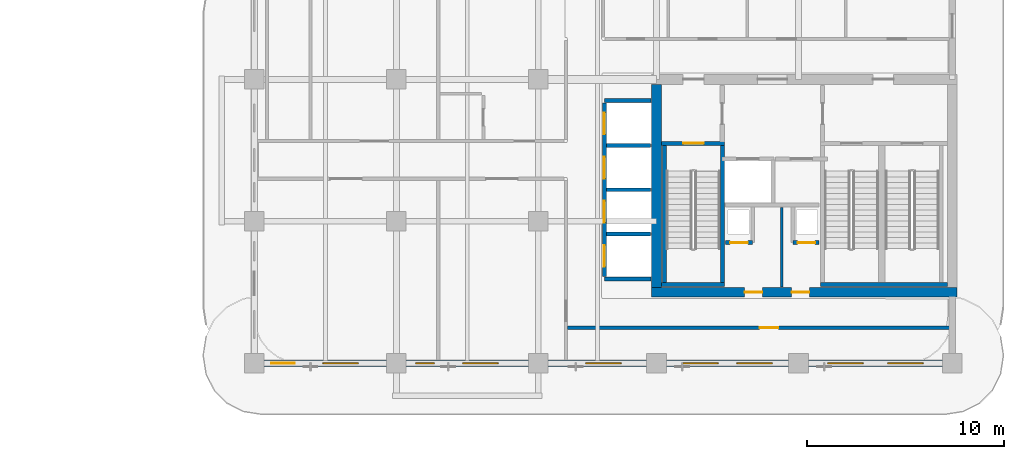
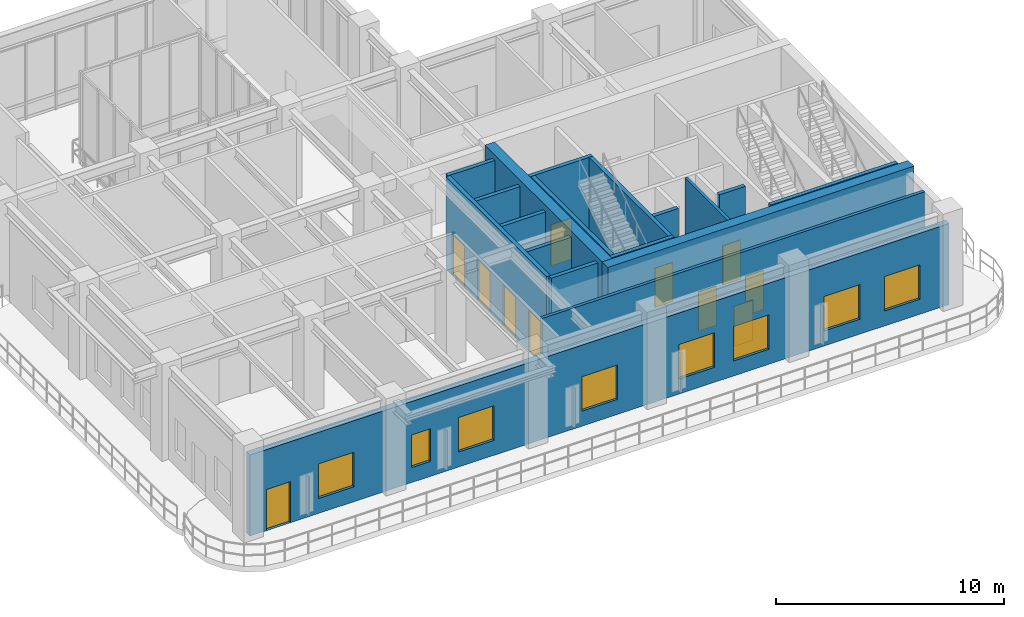
# One storey, part 12 of 21: 18 walls, 11 doors, 8 windows, 19 openings.
"""IFC4 building model written with IfcOpenShell, lengths in metres."""

import ifcopenshell
import ifcopenshell.guid

model = None  # the IFC model being written
_history = None  # IfcOwnerHistory: only IFC2X3 demands one
_inside = {}  # id of a spatial element -> (the spatial element, [elements in it])
_under = {}  # id of a project, library or spatial element -> (it, [spatial elements below it])
_declared = {}  # id of a project -> (the project, [libraries it declares])
_typed = {}  # id of a type object -> (the type object, [elements of that type])
_made_of = {}  # id of a material, layer set ... -> (it, [elements and type objects made of it])


def new_model(schema):
    """Start an empty IFC model of exactly this schema.

    Asked for "IFC4X3", IfcOpenShell would pick the latest addendum, in which some entities
    have other attributes; the version numbers below select the first issue.
    IFC2X3 requires an IfcOwnerHistory on every rooted entity: one is made here for all.
    """
    global model, _history
    if schema == "IFC4X3":
        model = ifcopenshell.file(schema_version=(4, 3, 0, 0))
    else:
        model = ifcopenshell.file(schema=schema)
    _inside.clear()
    _under.clear()
    _declared.clear()
    _typed.clear()
    _made_of.clear()
    _history = None
    if model.schema == "IFC2X3":
        org = make("IfcOrganization", Name="unknown")
        user = make(
            "IfcPersonAndOrganization",
            ThePerson=make("IfcPerson", FamilyName="unknown"),
            TheOrganization=org,
        )
        app = make(
            "IfcApplication",
            ApplicationDeveloper=org,
            Version="unknown",
            ApplicationFullName="unknown",
            ApplicationIdentifier="unknown",
        )
        _history = make(
            "IfcOwnerHistory",
            OwningUser=user,
            OwningApplication=app,
            ChangeAction="ADDED",
            CreationDate=0,
        )
    return model


def make(cls, **values):
    """One entity of the class cls with the attributes given. An attribute that is None is left unset."""
    return model.create_entity(
        cls, **{name: value for name, value in values.items() if value is not None}
    )


def rooted(cls, **values):
    """An entity with a GlobalId (a new one), such as an element, a storey or a relation."""
    return make(cls, GlobalId=ifcopenshell.guid.new(), OwnerHistory=_history, **values)


def si_unit(unit_type, name, prefix=None):
    """IfcSIUnit, for example si_unit("LENGTHUNIT", "METRE", prefix="MILLI")."""
    return make("IfcSIUnit", UnitType=unit_type, Prefix=prefix, Name=name)


def derived_unit(unit_type, elements):
    """IfcDerivedUnit: a product of units, each with its exponent."""
    return make(
        "IfcDerivedUnit",
        Elements=[
            make("IfcDerivedUnitElement", Unit=unit, Exponent=power)
            for unit, power in elements
        ],
        UnitType=unit_type,
    )


def assignment(units):
    """IfcUnitAssignment: the units of a project."""
    return None if units is None else make("IfcUnitAssignment", Units=units)


def point(xyz):
    """IfcCartesianPoint."""
    return None if xyz is None else make("IfcCartesianPoint", Coordinates=xyz)


def direction(xyz):
    """IfcDirection."""
    return None if xyz is None else make("IfcDirection", DirectionRatios=xyz)


def frame(location, z_axis=None, x_axis=None):
    """IfcAxis2Placement3D, a coordinate frame: its origin and axes. An axis left out is left unset."""
    return make(
        "IfcAxis2Placement3D",
        Location=point(location),
        Axis=direction(z_axis),
        RefDirection=direction(x_axis),
    )


def frame_2d(location, x_axis=None):
    """IfcAxis2Placement2D, a coordinate frame in the plane: its origin and x axis."""
    return make(
        "IfcAxis2Placement2D", Location=point(location), RefDirection=direction(x_axis)
    )


def origin():
    """The frame at (0, 0, 0) with its axes left unset."""
    return frame((0.0, 0.0, 0.0))


def place(relative_to, where):
    """IfcLocalPlacement: puts the frame where relative to a parent placement (None: the world)."""
    return make(
        "IfcLocalPlacement", PlacementRelTo=relative_to, RelativePlacement=where
    )


def context(
    kind, dimensions, precision=None, world=None, true_north=None, identifier=None
):
    """IfcGeometricRepresentationContext, for example the 3D "Model" context."""
    return make(
        "IfcGeometricRepresentationContext",
        ContextIdentifier=identifier,
        ContextType=kind,
        CoordinateSpaceDimension=dimensions,
        Precision=precision,
        WorldCoordinateSystem=world,
        TrueNorth=true_north,
    )


def subcontext(parent, identifier, kind, view, scale=None):
    """IfcGeometricRepresentationSubContext, for example "Body" below "Model"."""
    return make(
        "IfcGeometricRepresentationSubContext",
        ContextIdentifier=identifier,
        ContextType=kind,
        ParentContext=parent,
        TargetScale=scale,
        TargetView=view,
    )


def project(units=None, contexts=None):
    """IfcProject with its units and contexts."""
    return rooted(
        "IfcProject",
        Name="project",
        RepresentationContexts=contexts,
        UnitsInContext=assignment(units),
    )


def spatial(cls, under=None, at=None, **own):
    """A site, building, storey or space (cls), placed at a placement, below another one or the project."""
    s = rooted(cls, ObjectPlacement=at, **own)
    if under is not None:
        _under.setdefault(under.id(), (under, []))[1].append(s)
    return s


def profile(cls, at=None, kind="AREA", **sizes):
    """A parametric profile (cls). Its sizes go by their IFC names, for example OverallWidth=200.0."""
    return make(cls, ProfileType=kind, Position=at, **sizes)


def rectangle(**sizes):
    """IfcRectangleProfileDef."""
    return profile("IfcRectangleProfileDef", **sizes)


def extrude(swept, where, along, depth):
    """IfcExtrudedAreaSolid: the profile swept, set in the frame where, extruded along a direction by depth."""
    return make(
        "IfcExtrudedAreaSolid",
        SweptArea=swept,
        Position=where,
        ExtrudedDirection=direction(along),
        Depth=depth,
    )


def shape(context_of_items, identifier, shape_type, items):
    """IfcShapeRepresentation: the items that make up one representation, for example the "Body"."""
    return make(
        "IfcShapeRepresentation",
        ContextOfItems=context_of_items,
        RepresentationIdentifier=identifier,
        RepresentationType=shape_type,
        Items=items,
    )


def source(mapping_origin, context_of_items, identifier, shape_type, items):
    """IfcRepresentationMap: a shape defined once, which mapped items show again and again."""
    return make(
        "IfcRepresentationMap",
        MappingOrigin=mapping_origin,
        MappedRepresentation=shape(context_of_items, identifier, shape_type, items),
    )


def transform(
    local_origin,
    x_axis=None,
    y_axis=None,
    z_axis=None,
    scale=None,
    scale2=None,
    scale3=None,
    uniform=True,
):
    """IfcCartesianTransformationOperator3D, or its non-uniform kind. x_axis, y_axis, z_axis: its Axis1, 2, 3."""
    if uniform:
        return make(
            "IfcCartesianTransformationOperator3D",
            Axis1=direction(x_axis),
            Axis2=direction(y_axis),
            LocalOrigin=point(local_origin),
            Scale=scale,
            Axis3=direction(z_axis),
        )
    return make(
        "IfcCartesianTransformationOperator3DnonUniform",
        Axis1=direction(x_axis),
        Axis2=direction(y_axis),
        LocalOrigin=point(local_origin),
        Scale=scale,
        Axis3=direction(z_axis),
        Scale2=scale2,
        Scale3=scale3,
    )


def mapped(mapping_source, mapping_target):
    """IfcMappedItem: shows the shape of a source again, moved by a transform."""
    return make(
        "IfcMappedItem", MappingSource=mapping_source, MappingTarget=mapping_target
    )


def material(Name=None, Category=None):
    """IfcMaterial."""
    return make("IfcMaterial", Name=Name, Category=Category)


def layer(
    of_material, thickness, ventilated=None, Name=None, Category=None, Priority=None
):
    """IfcMaterialLayer: one layer of a wall or slab, of a material (None: an air gap)."""
    return make(
        "IfcMaterialLayer",
        Material=of_material,
        LayerThickness=thickness,
        IsVentilated=ventilated,
        Name=Name,
        Category=Category,
        Priority=Priority,
    )


def layer_set(layers, Name=None):
    """IfcMaterialLayerSet."""
    return make("IfcMaterialLayerSet", MaterialLayers=layers, LayerSetName=Name)


def made_of(thing, what):
    """Note that an element or type object is made of a material, layer set ...; save() writes the relation."""
    if what is not None:
        _made_of.setdefault(what.id(), (what, []))[1].append(thing)
    return thing


def type_object(cls, material=None, **own):
    """A type object (cls), such as IfcWallType, which elements share."""
    return made_of(rooted(cls, **own), material)


def type_shapes(of_type, sources):
    """Give a type object the sources (RepresentationMaps) that its elements show as mapped items."""
    of_type.RepresentationMaps = sources


def element(
    cls,
    number,
    at=None,
    inside=None,
    cuts=None,
    type_object=None,
    material=None,
    context=None,
    identifier="Body",
    shape_type=None,
    held_by="IfcProductDefinitionShape",
    body=None,
    shapes=None,
    **own,
):
    """One element of the class cls, such as IfcWall. Its Tag is "e" and its number.

    at: its placement. inside: the storey or other place that contains it. cuts: it is an
    opening in that element (IfcRelVoidsElement). A single representation is given by context,
    identifier, shape_type and body (its items); several are given by shapes. held_by: the class
    of the entity that holds the representations. save() writes the other relations.
    """
    e = rooted(cls, Tag="e%d" % number, ObjectPlacement=at, **own)
    if body is not None:
        shapes = [shape(context, identifier, shape_type, body)]
    if shapes is not None:
        e.Representation = make(held_by, Representations=shapes)
    if inside is not None:
        _inside.setdefault(inside.id(), (inside, []))[1].append(e)
    if cuts is not None:
        rooted(
            "IfcRelVoidsElement", RelatingBuildingElement=cuts, RelatedOpeningElement=e
        )
    if type_object is not None:
        _typed.setdefault(type_object.id(), (type_object, []))[1].append(e)
    return made_of(e, material)


def fill(opening, filler):
    """IfcRelFillsElement: the door or window that sits in an opening."""
    return rooted(
        "IfcRelFillsElement",
        RelatingOpeningElement=opening,
        RelatedBuildingElement=filler,
    )


def aggregate(whole, parts):
    """IfcRelAggregates: a whole, such as a stair, and the parts it consists of."""
    return rooted("IfcRelAggregates", RelatingObject=whole, RelatedObjects=parts)


def save(model, path):
    """Write the relations noted so far, then the file.

    IfcRelAggregates (storeys below a building ...), IfcRelContainedInSpatialStructure (elements
    in a storey), IfcRelDefinesByType, IfcRelAssociatesMaterial and IfcRelDeclares: one each for
    every whole, place, type object, material and project.
    """
    for whole, parts in _under.values():
        aggregate(whole, parts)
    for where, things in _inside.values():
        rooted(
            "IfcRelContainedInSpatialStructure",
            RelatedElements=things,
            RelatingStructure=where,
        )
    for kind, things in _typed.values():
        rooted("IfcRelDefinesByType", RelatedObjects=things, RelatingType=kind)
    for what, things in _made_of.values():
        rooted("IfcRelAssociatesMaterial", RelatedObjects=things, RelatingMaterial=what)
    for by, libraries in _declared.values():
        rooted("IfcRelDeclares", RelatingContext=by, RelatedDefinitions=libraries)
    model.write(path)


model = new_model("IFC4")

# Units and contexts
model_context = context("Model", 3, precision=1e-05, world=origin(), true_north=direction((0.0, 1.0)))
body_context = subcontext(model_context, "Body", "Model", "MODEL_VIEW")
ifc_project = project(units=[si_unit("LENGTHUNIT", "METRE"), si_unit("AREAUNIT", "SQUARE_METRE"), si_unit("VOLUMEUNIT", "CUBIC_METRE"), si_unit("PLANEANGLEUNIT", "RADIAN"), si_unit("MASSUNIT", "GRAM", prefix="KILO"), si_unit("THERMODYNAMICTEMPERATUREUNIT", "KELVIN"), si_unit("POWERUNIT", "WATT"), derived_unit("THERMALTRANSMITTANCEUNIT", [(si_unit("POWERUNIT", "WATT"), 1), (si_unit("AREAUNIT", "SQUARE_METRE"), -1), (si_unit("THERMODYNAMICTEMPERATUREUNIT", "KELVIN"), -1)])], contexts=[model_context])

# Site, building, storey
site_placement = place(None, origin())
site = spatial("IfcSite", under=ifc_project, at=site_placement, CompositionType="ELEMENT")
building_placement = place(site_placement, origin())
building = spatial("IfcBuilding", under=site, at=building_placement, Name="Zahravan Archway Hotel and Residences", CompositionType="ELEMENT")
storey_placement = place(building_placement, frame((0.0, 0.0, 145.10009765625)))
storey = spatial("IfcBuildingStorey", under=building, at=storey_placement, Name="L36", CompositionType="ELEMENT", Elevation=145.10009765625)

# Wall, openings, doors
ifc_material_1 = material(Name="Concrete C60/75", Category="concrete")
ifc_layer_1 = layer(ifc_material_1, 0.5, Name="Concrete C60/75", Category="concrete")
ifc_layer_set_1 = layer_set([ifc_layer_1], Name="Concrete C60/75")
wall_type_1 = type_object("IfcWallType", Name="CW-CORE-500", PredefinedType="SHEAR", material=ifc_layer_set_1)
wall_1_placement = place(storey_placement, frame((34.550048828125, 3.60009765625, 0.0), z_axis=(0.0, 0.0, 1.0), x_axis=(1.0, 0.0, 0.0)))
wall_1 = element("IfcWall", 1, at=wall_1_placement, inside=storey, type_object=wall_type_1, Name="L36 Core A Shear S Wall 500 mm", PredefinedType="SHEAR", context=body_context, shape_type="SweptSolid", body=[
    extrude(rectangle(XDim=15.5, YDim=0.5, at=frame_2d((7.75, 0.0))), origin(), (0.0, 0.0, 1.0), 5.199951171875),
])
opening_1_placement = place(wall_1_placement, frame((4.719970703125, 0.0, 0.0)))
opening_1 = element("IfcOpeningElement", 2, at=opening_1_placement, cuts=wall_1, Name="Opening FD-R1", PredefinedType="OPENING", context=body_context, shape_type="SweptSolid", body=[
    extrude(rectangle(XDim=0.89990234375, YDim=2.10009765625, at=frame_2d((0.449951171875, 1.050048828125))), frame((0.0, 0.260009765625, 0.0), z_axis=(0.0, -1.0, 0.0), x_axis=(1.0, 0.0, 0.0)), (0.0, 0.0, 1.0), 0.52001953125),
])
opening_2_placement = place(wall_1_placement, frame((7.10009765625, 0.0, 0.0)))
opening_2 = element("IfcOpeningElement", 3, at=opening_2_placement, cuts=wall_1, Name="Opening FD-R1", PredefinedType="OPENING", context=body_context, shape_type="SweptSolid", body=[
    extrude(rectangle(XDim=0.89990234375, YDim=2.10009765625, at=frame_2d((0.449951171875, 1.050048828125))), frame((0.0, 0.260009765625, 0.0), z_axis=(0.0, -1.0, 0.0), x_axis=(1.0, 0.0, 0.0)), (0.0, 0.0, 1.0), 0.52001953125),
])
ifc_material_2 = material(Name="Fire-Rated Painted Steel", Category="steel")
door_type_1 = type_object("IfcDoorType", Name="FD-RISER-900", OperationType="NOTDEFINED", PredefinedType="DOOR", material=ifc_material_2)
shared_shape_1 = source(origin(), body_context, "Body", "SweptSolid", [
    extrude(rectangle(XDim=0.89990234375, YDim=2.10009765625, at=frame_2d((0.449951171875, 1.050048828125))), frame((0.0, 0.02490234375, 0.0), z_axis=(0.0, -1.0, 0.0), x_axis=(1.0, 0.0, 0.0)), (0.0, 0.0, 1.0), 0.050048828125),
])
type_shapes(door_type_1, [shared_shape_1])
door_1_placement = place(opening_1_placement, origin())
door_1 = element("IfcDoor", 4, at=door_1_placement, inside=storey, type_object=door_type_1, Name="L36 Fan Room Door", OperationType="SINGLE_SWING_RIGHT", OverallHeight=2.10009765625, OverallWidth=0.89990234375, PredefinedType="DOOR", context=body_context, shape_type="MappedRepresentation", body=[
    mapped(shared_shape_1, transform((0.0, 0.0, 0.0), scale=1.0)),
])
fill(opening_1, door_1)
door_2_placement = place(opening_2_placement, origin())
door_2 = element("IfcDoor", 5, at=door_2_placement, inside=storey, type_object=door_type_1, Name="L36 Sub-Meter Cupboard Door", OperationType="SINGLE_SWING_LEFT", OverallHeight=2.10009765625, OverallWidth=0.89990234375, PredefinedType="DOOR", context=body_context, shape_type="MappedRepresentation", body=[
    mapped(shared_shape_1, transform((0.0, 0.0, 0.0), scale=1.0)),
])
fill(opening_2, door_2)

# Wall
wall_2_placement = place(storey_placement, frame((34.800048828125, 3.85009765625, 0.0), z_axis=(0.0, 0.0, 1.0), x_axis=(0.0, 1.0, 0.0)))
element("IfcWall", 6, at=wall_2_placement, inside=storey, type_object=wall_type_1, Name="L36 Core A Shear W Wall 500 mm", PredefinedType="SHEAR", context=body_context, shape_type="SweptSolid", body=[
    extrude(rectangle(XDim=10.2998046875, YDim=0.5, at=frame_2d((5.14990234375, 0.0))), origin(), (0.0, 0.0, 1.0), 5.199951171875),
])

# Wall, openings, door, windows
ifc_material_3 = material(Name="Agra Buff Sandstone & Insulated Backup", Category="masonry")
ifc_layer_2 = layer(ifc_material_3, 0.320068359375, Name="Agra Buff Sandstone & Insulated Backup", Category="masonry")
ifc_layer_set_2 = layer_set([ifc_layer_2], Name="Agra Buff Sandstone & Insulated Backup")
wall_type_2 = type_object("IfcWallType", Name="EW-SAND-320", PredefinedType="SOLIDWALL", material=ifc_layer_set_2)
wall_3_placement = place(storey_placement, frame((14.39990234375, 0.0, 0.0), z_axis=(0.0, 0.0, 1.0), x_axis=(1.0, 0.0, 0.0)))
wall_3 = element("IfcWall", 7, at=wall_3_placement, inside=storey, type_object=wall_type_2, Name="L36 Exterior Sandstone Wall WA-S", PredefinedType="SOLIDWALL", context=body_context, shape_type="SweptSolid", body=[
    extrude(rectangle(XDim=35.400146484375, YDim=0.320068359375, at=frame_2d((17.7001953125, 0.0))), origin(), (0.0, 0.0, 1.0), 4.3349609375),
])
opening_3_placement = place(wall_3_placement, frame((0.85009765625, 0.0, 0.0)))
opening_3 = element("IfcOpeningElement", 8, at=opening_3_placement, cuts=wall_3, Name="Opening ED-BL1", PredefinedType="OPENING", context=body_context, shape_type="SweptSolid", body=[
    extrude(rectangle(XDim=1.199951171875, YDim=2.199951171875, at=frame_2d((0.60009765625, 1.10009765625))), frame((0.0, 0.169921875, 0.0), z_axis=(0.0, -1.0, 0.0), x_axis=(1.0, 0.0, 0.0)), (0.0, 0.0, 1.0), 0.340087890625),
])
opening_4_placement = place(wall_3_placement, frame((3.47509765625, 0.0, 0.800048828125)))
opening_4 = element("IfcOpeningElement", 9, at=opening_4_placement, cuts=wall_3, Name="Opening W-02", PredefinedType="OPENING", context=body_context, shape_type="SweptSolid", body=[
    extrude(rectangle(XDim=1.800048828125, YDim=1.85009765625, at=frame_2d((0.89990234375, 0.925048828125))), frame((0.0, 0.169921875, 0.0), z_axis=(0.0, -1.0, 0.0), x_axis=(1.0, 0.0, 0.0)), (0.0, 0.0, 1.0), 0.340087890625),
])
opening_5_placement = place(wall_3_placement, frame((8.180908203125, 0.0, 0.800048828125)))
opening_5 = element("IfcOpeningElement", 10, at=opening_5_placement, cuts=wall_3, Name="Opening W-04", PredefinedType="OPENING", context=body_context, shape_type="SweptSolid", body=[
    extrude(rectangle(XDim=0.949951171875, YDim=1.75, at=frame_2d((0.47509765625, 0.875))), frame((0.0, 0.169921875, 0.0), z_axis=(0.0, -1.0, 0.0), x_axis=(1.0, 0.0, 0.0)), (0.0, 0.0, 1.0), 0.340087890625),
])
opening_6_placement = place(wall_3_placement, frame((10.56396484375, 0.0, 0.800048828125)))
opening_6 = element("IfcOpeningElement", 11, at=opening_6_placement, cuts=wall_3, Name="Opening W-02", PredefinedType="OPENING", context=body_context, shape_type="SweptSolid", body=[
    extrude(rectangle(XDim=1.800048828125, YDim=1.85009765625, at=frame_2d((0.89990234375, 0.925048828125))), frame((0.0, 0.169921875, 0.0), z_axis=(0.0, -1.0, 0.0), x_axis=(1.0, 0.0, 0.0)), (0.0, 0.0, 1.0), 0.340087890625),
])
opening_7_placement = place(wall_3_placement, frame((16.803955078125, 0.0, 0.800048828125)))
opening_7 = element("IfcOpeningElement", 12, at=opening_7_placement, cuts=wall_3, Name="Opening W-02", PredefinedType="OPENING", context=body_context, shape_type="SweptSolid", body=[
    extrude(rectangle(XDim=1.800048828125, YDim=1.85009765625, at=frame_2d((0.89990234375, 0.925048828125))), frame((0.0, 0.169921875, 0.0), z_axis=(0.0, -1.0, 0.0), x_axis=(1.0, 0.0, 0.0)), (0.0, 0.0, 1.0), 0.340087890625),
])
opening_8_placement = place(wall_3_placement, frame((21.72509765625, 0.0, 0.800048828125)))
opening_8 = element("IfcOpeningElement", 13, at=opening_8_placement, cuts=wall_3, Name="Opening W-02", PredefinedType="OPENING", context=body_context, shape_type="SweptSolid", body=[
    extrude(rectangle(XDim=1.800048828125, YDim=1.85009765625, at=frame_2d((0.89990234375, 0.925048828125))), frame((0.0, 0.169921875, 0.0), z_axis=(0.0, -1.0, 0.0), x_axis=(1.0, 0.0, 0.0)), (0.0, 0.0, 1.0), 0.340087890625),
])
opening_9_placement = place(wall_3_placement, frame((24.47509765625, 0.0, 0.800048828125)))
opening_9 = element("IfcOpeningElement", 14, at=opening_9_placement, cuts=wall_3, Name="Opening W-02", PredefinedType="OPENING", context=body_context, shape_type="SweptSolid", body=[
    extrude(rectangle(XDim=1.800048828125, YDim=1.85009765625, at=frame_2d((0.89990234375, 0.925048828125))), frame((0.0, 0.169921875, 0.0), z_axis=(0.0, -1.0, 0.0), x_axis=(1.0, 0.0, 0.0)), (0.0, 0.0, 1.0), 0.340087890625),
])
opening_10_placement = place(wall_3_placement, frame((29.074951171875, 0.0, 0.800048828125)))
opening_10 = element("IfcOpeningElement", 15, at=opening_10_placement, cuts=wall_3, Name="Opening W-02", PredefinedType="OPENING", context=body_context, shape_type="SweptSolid", body=[
    extrude(rectangle(XDim=1.800048828125, YDim=1.85009765625, at=frame_2d((0.89990234375, 0.925048828125))), frame((0.0, 0.169921875, 0.0), z_axis=(0.0, -1.0, 0.0), x_axis=(1.0, 0.0, 0.0)), (0.0, 0.0, 1.0), 0.340087890625),
])
opening_11_placement = place(wall_3_placement, frame((32.125, 0.0, 0.800048828125)))
opening_11 = element("IfcOpeningElement", 16, at=opening_11_placement, cuts=wall_3, Name="Opening W-02", PredefinedType="OPENING", context=body_context, shape_type="SweptSolid", body=[
    extrude(rectangle(XDim=1.800048828125, YDim=1.85009765625, at=frame_2d((0.89990234375, 0.925048828125))), frame((0.0, 0.169921875, 0.0), z_axis=(0.0, -1.0, 0.0), x_axis=(1.0, 0.0, 0.0)), (0.0, 0.0, 1.0), 0.340087890625),
])
ifc_material_4 = material(Name="Bronze-Anodized Glazed Aluminium", Category="aluminium")
door_type_2 = type_object("IfcDoorType", Name="ED-BALC-1200", OperationType="SLIDING_TO_LEFT", PredefinedType="DOOR", material=ifc_material_4)
shared_shape_2 = source(origin(), body_context, "Body", "SweptSolid", [
    extrude(rectangle(XDim=1.199951171875, YDim=2.199951171875, at=frame_2d((0.60009765625, 1.10009765625))), frame((0.0, 0.02490234375, 0.0), z_axis=(0.0, -1.0, 0.0), x_axis=(1.0, 0.0, 0.0)), (0.0, 0.0, 1.0), 0.050048828125),
])
type_shapes(door_type_2, [shared_shape_2])
door_3_placement = place(opening_3_placement, origin())
door_3 = element("IfcDoor", 17, at=door_3_placement, inside=storey, type_object=door_type_2, Name="L36 Outdoor Access Sliding Door (SLB-BAL-L36-SA)", OperationType="SLIDING_TO_LEFT", OverallHeight=2.199951171875, OverallWidth=1.199951171875, PredefinedType="DOOR", context=body_context, shape_type="MappedRepresentation", body=[
    mapped(shared_shape_2, transform((0.0, 0.0, 0.0), scale=1.0)),
])
fill(opening_3, door_3)
ifc_material_5 = material(Name="Bronze-Anodized Thermal-Break Aluminium & Low-E Glass", Category="aluminium")
window_type_1 = type_object("IfcWindowType", Name="WIN-NAR-950", PartitioningType="SINGLE_PANEL", PredefinedType="WINDOW", material=ifc_material_5)
shared_shape_3 = source(origin(), body_context, "Body", "SweptSolid", [
    extrude(rectangle(XDim=0.949951171875, YDim=1.75, at=frame_2d((0.47509765625, 0.875))), frame((0.0, 0.030029296875, 0.0), z_axis=(0.0, -1.0, 0.0), x_axis=(1.0, 0.0, 0.0)), (0.0, 0.0, 1.0), 0.06005859375),
])
type_shapes(window_type_1, [shared_shape_3])
window_1_placement = place(opening_5_placement, origin())
window_1 = element("IfcWindow", 18, at=window_1_placement, inside=storey, type_object=window_type_1, Name="L36 Loggia Window 02", OverallHeight=1.75, OverallWidth=0.949951171875, PartitioningType="SINGLE_PANEL", PredefinedType="WINDOW", context=body_context, shape_type="MappedRepresentation", body=[
    mapped(shared_shape_3, transform((0.0, 0.0, 0.0), scale=1.0)),
])
fill(opening_5, window_1)
window_type_2 = type_object("IfcWindowType", Name="WIN-TWR-1800", PartitioningType="DOUBLE_PANEL_VERTICAL", PredefinedType="WINDOW", material=ifc_material_5)
shared_shape_4 = source(origin(), body_context, "Body", "SweptSolid", [
    extrude(rectangle(XDim=1.800048828125, YDim=1.85009765625, at=frame_2d((0.89990234375, 0.925048828125))), frame((0.0, 0.030029296875, 0.0), z_axis=(0.0, -1.0, 0.0), x_axis=(1.0, 0.0, 0.0)), (0.0, 0.0, 1.0), 0.06005859375),
])
type_shapes(window_type_2, [shared_shape_4])
window_2_placement = place(opening_4_placement, origin())
window_2 = element("IfcWindow", 19, at=window_2_placement, inside=storey, type_object=window_type_2, Name="L36 Loggia Window 01", OverallHeight=1.85009765625, OverallWidth=1.800048828125, PartitioningType="DOUBLE_PANEL_VERTICAL", PredefinedType="WINDOW", context=body_context, shape_type="MappedRepresentation", body=[
    mapped(shared_shape_4, transform((0.0, 0.0, 0.0), scale=1.0)),
])
fill(opening_4, window_2)
window_3_placement = place(opening_6_placement, origin())
window_3 = element("IfcWindow", 20, at=window_3_placement, inside=storey, type_object=window_type_2, Name="L36 Loggia Window 03", OverallHeight=1.85009765625, OverallWidth=1.800048828125, PartitioningType="DOUBLE_PANEL_VERTICAL", PredefinedType="WINDOW", context=body_context, shape_type="MappedRepresentation", body=[
    mapped(shared_shape_4, transform((0.0, 0.0, 0.0), scale=1.0)),
])
fill(opening_6, window_3)
window_4_placement = place(opening_7_placement, origin())
window_4 = element("IfcWindow", 21, at=window_4_placement, inside=storey, type_object=window_type_2, Name="L36 Loggia Window 04", OverallHeight=1.85009765625, OverallWidth=1.800048828125, PartitioningType="DOUBLE_PANEL_VERTICAL", PredefinedType="WINDOW", context=body_context, shape_type="MappedRepresentation", body=[
    mapped(shared_shape_4, transform((0.0, 0.0, 0.0), scale=1.0)),
])
fill(opening_7, window_4)
window_5_placement = place(opening_8_placement, origin())
window_5 = element("IfcWindow", 22, at=window_5_placement, inside=storey, type_object=window_type_2, Name="L36 Loggia Window 05", OverallHeight=1.85009765625, OverallWidth=1.800048828125, PartitioningType="DOUBLE_PANEL_VERTICAL", PredefinedType="WINDOW", context=body_context, shape_type="MappedRepresentation", body=[
    mapped(shared_shape_4, transform((0.0, 0.0, 0.0), scale=1.0)),
])
fill(opening_8, window_5)
window_6_placement = place(opening_9_placement, origin())
window_6 = element("IfcWindow", 23, at=window_6_placement, inside=storey, type_object=window_type_2, Name="L36 Loggia Window 06", OverallHeight=1.85009765625, OverallWidth=1.800048828125, PartitioningType="DOUBLE_PANEL_VERTICAL", PredefinedType="WINDOW", context=body_context, shape_type="MappedRepresentation", body=[
    mapped(shared_shape_4, transform((0.0, 0.0, 0.0), scale=1.0)),
])
fill(opening_9, window_6)
window_7_placement = place(opening_10_placement, origin())
window_7 = element("IfcWindow", 24, at=window_7_placement, inside=storey, type_object=window_type_2, Name="L36 Loggia Window 07", OverallHeight=1.85009765625, OverallWidth=1.800048828125, PartitioningType="DOUBLE_PANEL_VERTICAL", PredefinedType="WINDOW", context=body_context, shape_type="MappedRepresentation", body=[
    mapped(shared_shape_4, transform((0.0, 0.0, 0.0), scale=1.0)),
])
fill(opening_10, window_7)
window_8_placement = place(opening_11_placement, origin())
window_8 = element("IfcWindow", 25, at=window_8_placement, inside=storey, type_object=window_type_2, Name="L36 Loggia Window 08", OverallHeight=1.85009765625, OverallWidth=1.800048828125, PartitioningType="DOUBLE_PANEL_VERTICAL", PredefinedType="WINDOW", context=body_context, shape_type="MappedRepresentation", body=[
    mapped(shared_shape_4, transform((0.0, 0.0, 0.0), scale=1.0)),
])
fill(opening_11, window_8)

# Wall, opening, door
ifc_material_6 = material(Name="Fire-Rated Gypsum & Concrete Block", Category="concrete")
ifc_layer_3 = layer(ifc_material_6, 0.159912109375, Name="Fire-Rated Gypsum & Concrete Block", Category="concrete")
ifc_layer_set_3 = layer_set([ifc_layer_3], Name="Fire-Rated Gypsum & Concrete Block")
wall_type_3 = type_object("IfcWallType", Name="PW-CORR-160", PredefinedType="PARTITIONING", material=ifc_layer_set_3)
wall_4_placement = place(storey_placement, frame((30.2900390625, 1.800048828125, 0.0), z_axis=(0.0, 0.0, 1.0), x_axis=(1.0, 0.0, 0.0)))
wall_4 = element("IfcWall", 26, at=wall_4_placement, inside=storey, type_object=wall_type_3, Name="L36 Partition WA-SRS", PredefinedType="PARTITIONING", context=body_context, shape_type="SweptSolid", body=[
    extrude(rectangle(XDim=19.369873046875, YDim=0.159912109375, at=frame_2d((9.68505859375, 0.0))), origin(), (0.0, 0.0, 1.0), 4.949951171875),
])
opening_12_placement = place(wall_4_placement, frame((9.735107421875, 0.0, 0.0)))
opening_12 = element("IfcOpeningElement", 27, at=opening_12_placement, cuts=wall_4, Name="Opening D-I1", PredefinedType="OPENING", context=body_context, shape_type="SweptSolid", body=[
    extrude(rectangle(XDim=0.949951171875, YDim=2.14990234375, at=frame_2d((0.47509765625, 1.074951171875))), frame((0.0, 0.08984375, 0.0), z_axis=(0.0, -1.0, 0.0), x_axis=(1.0, 0.0, 0.0)), (0.0, 0.0, 1.0), 0.179931640625),
])
ifc_material_7 = material(Name="Hardwood Veneer Timber", Category="wood")
door_type_3 = type_object("IfcDoorType", Name="ID-INT-950", OperationType="NOTDEFINED", PredefinedType="DOOR", material=ifc_material_7)
shared_shape_5 = source(origin(), body_context, "Body", "SweptSolid", [
    extrude(rectangle(XDim=0.949951171875, YDim=2.14990234375, at=frame_2d((0.47509765625, 1.074951171875))), frame((0.0, 0.02490234375, 0.0), z_axis=(0.0, -1.0, 0.0), x_axis=(1.0, 0.0, 0.0)), (0.0, 0.0, 1.0), 0.050048828125),
])
type_shapes(door_type_3, [shared_shape_5])
door_4_placement = place(opening_12_placement, origin())
door_4 = element("IfcDoor", 28, at=door_4_placement, inside=storey, type_object=door_type_3, Name="L36 South Viewing Lounge Door", OperationType="SINGLE_SWING_RIGHT", OverallHeight=2.14990234375, OverallWidth=0.949951171875, PredefinedType="DOOR", context=body_context, shape_type="MappedRepresentation", body=[
    mapped(shared_shape_5, transform((0.0, 0.0, 0.0), scale=1.0)),
])
fill(opening_12, door_4)

ifc_layer_4 = layer(ifc_material_6, 0.199951171875, Name="Fire-Rated Gypsum & Concrete Block", Category="concrete")
ifc_layer_set_4 = layer_set([ifc_layer_4], Name="Fire-Rated Gypsum & Concrete Block")
wall_type_4 = type_object("IfcWallType", Name="PW-SHAFT-200", PredefinedType="PARTITIONING", material=ifc_layer_set_4)
wall_5_placement = place(storey_placement, frame((38.2900390625, 6.1201171875, 0.0), z_axis=(0.0, 0.0, 1.0), x_axis=(1.0, 0.0, 0.0)))
wall_5 = element("IfcWall", 29, at=wall_5_placement, inside=storey, type_object=wall_type_4, Name="L36 Partition CA-SMKS", PredefinedType="PARTITIONING", context=body_context, shape_type="SweptSolid", body=[
    extrude(rectangle(XDim=1.3798828125, YDim=0.199951171875, at=frame_2d((0.68994140625, 0.0))), origin(), (0.0, 0.0, 1.0), 4.949951171875),
])
opening_13_placement = place(wall_5_placement, frame((0.239990234375, 0.0, 0.0)))
opening_13 = element("IfcOpeningElement", 30, at=opening_13_placement, cuts=wall_5, Name="Opening FD-R1", PredefinedType="OPENING", context=body_context, shape_type="SweptSolid", body=[
    extrude(rectangle(XDim=0.89990234375, YDim=2.10009765625, at=frame_2d((0.449951171875, 1.050048828125))), frame((0.0, 0.10986328125, 0.0), z_axis=(0.0, -1.0, 0.0), x_axis=(1.0, 0.0, 0.0)), (0.0, 0.0, 1.0), 0.219970703125),
])
door_5_placement = place(opening_13_placement, origin())
door_5 = element("IfcDoor", 31, at=door_5_placement, inside=storey, type_object=door_type_1, Name="L36 Smoke Riser Access Door", OperationType="SINGLE_SWING_RIGHT", OverallHeight=2.10009765625, OverallWidth=0.89990234375, PredefinedType="DOOR", context=body_context, shape_type="MappedRepresentation", body=[
    mapped(shared_shape_1, transform((0.0, 0.0, 0.0), scale=1.0)),
])
fill(opening_13, door_5)

wall_6_placement = place(storey_placement, frame((41.72998046875, 6.1201171875, 0.0), z_axis=(0.0, 0.0, 1.0), x_axis=(1.0, 0.0, 0.0)))
wall_6 = element("IfcWall", 32, at=wall_6_placement, inside=storey, type_object=wall_type_4, Name="L36 Partition CA-MEPS", PredefinedType="PARTITIONING", context=body_context, shape_type="SweptSolid", body=[
    extrude(rectangle(XDim=1.320068359375, YDim=0.199951171875, at=frame_2d((0.66015625, 0.0))), origin(), (0.0, 0.0, 1.0), 4.949951171875),
])
opening_14_placement = place(wall_6_placement, frame((0.219970703125, 0.0, 0.0)))
opening_14 = element("IfcOpeningElement", 33, at=opening_14_placement, cuts=wall_6, Name="Opening FD-R1", PredefinedType="OPENING", context=body_context, shape_type="SweptSolid", body=[
    extrude(rectangle(XDim=0.89990234375, YDim=2.10009765625, at=frame_2d((0.449951171875, 1.050048828125))), frame((0.0, 0.10986328125, 0.0), z_axis=(0.0, -1.0, 0.0), x_axis=(1.0, 0.0, 0.0)), (0.0, 0.0, 1.0), 0.219970703125),
])
door_6_placement = place(opening_14_placement, origin())
door_6 = element("IfcDoor", 34, at=door_6_placement, inside=storey, type_object=door_type_1, Name="L36 MEP Riser Access Door", OperationType="SINGLE_SWING_LEFT", OverallHeight=2.10009765625, OverallWidth=0.89990234375, PredefinedType="DOOR", context=body_context, shape_type="MappedRepresentation", body=[
    mapped(shared_shape_1, transform((0.0, 0.0, 0.0), scale=1.0)),
])
fill(opening_14, door_6)

# Walls
for number, where, z_axis, x_axis, name in (
    (35, (32.159912109375, 4.280029296875, 0.0), (0.0, 0.0, 1.0), (1.0, 0.0, 0.0), "L36 Partition B3-S"),
    (36, (32.159912109375, 13.320068359375, 0.0), (0.0, 0.0, 1.0), (1.0, 0.0, 0.0), "L36 Partition B3-N"),
):
    element("IfcWall", number, at=place(storey_placement, frame(where, z_axis=z_axis, x_axis=x_axis)), inside=storey, type_object=wall_type_4, Name=name, PredefinedType="PARTITIONING", context=body_context, shape_type="SweptSolid", body=[
        extrude(rectangle(XDim=2.360107421875, YDim=0.199951171875, at=frame_2d((1.18017578125, 0.0))), origin(), (0.0, 0.0, 1.0), 4.949951171875),
    ])

# Wall, openings, doors
wall_7_placement = place(storey_placement, frame((32.14990234375, 4.389892578125, 0.0), z_axis=(0.0, 0.0, 1.0), x_axis=(0.0, 1.0, 0.0)))
wall_7 = element("IfcWall", 37, at=wall_7_placement, inside=storey, type_object=wall_type_4, Name="L36 Partition B3-W", PredefinedType="PARTITIONING", context=body_context, shape_type="SweptSolid", body=[
    extrude(rectangle(XDim=8.820068359375, YDim=0.199951171875, at=frame_2d((4.41015625, 0.0))), origin(), (0.0, 0.0, 1.0), 4.949951171875),
])
opening_15_placement = place(wall_7_placement, frame((0.5, 0.0, 0.0)))
opening_15 = element("IfcOpeningElement", 38, at=opening_15_placement, cuts=wall_7, Name="Opening LD", PredefinedType="OPENING", context=body_context, shape_type="SweptSolid", body=[
    extrude(rectangle(XDim=1.10009765625, YDim=2.199951171875, at=frame_2d((0.550048828125, 1.10009765625))), frame((0.0, 0.10986328125, 0.0), z_axis=(0.0, -1.0, 0.0), x_axis=(1.0, 0.0, 0.0)), (0.0, 0.0, 1.0), 0.219970703125),
])
opening_16_placement = place(wall_7_placement, frame((2.739990234375, 0.0, 0.0)))
opening_16 = element("IfcOpeningElement", 39, at=opening_16_placement, cuts=wall_7, Name="Opening LD", PredefinedType="OPENING", context=body_context, shape_type="SweptSolid", body=[
    extrude(rectangle(XDim=1.10009765625, YDim=2.199951171875, at=frame_2d((0.550048828125, 1.10009765625))), frame((0.0, 0.10986328125, 0.0), z_axis=(0.0, -1.0, 0.0), x_axis=(1.0, 0.0, 0.0)), (0.0, 0.0, 1.0), 0.219970703125),
])
opening_17_placement = place(wall_7_placement, frame((4.97998046875, 0.0, 0.0)))
opening_17 = element("IfcOpeningElement", 40, at=opening_17_placement, cuts=wall_7, Name="Opening LD", PredefinedType="OPENING", context=body_context, shape_type="SweptSolid", body=[
    extrude(rectangle(XDim=1.10009765625, YDim=2.199951171875, at=frame_2d((0.550048828125, 1.10009765625))), frame((0.0, 0.10986328125, 0.0), z_axis=(0.0, -1.0, 0.0), x_axis=(1.0, 0.0, 0.0)), (0.0, 0.0, 1.0), 0.219970703125),
])
opening_18_placement = place(wall_7_placement, frame((7.219970703125, 0.0, 0.0)))
opening_18 = element("IfcOpeningElement", 41, at=opening_18_placement, cuts=wall_7, Name="Opening LD", PredefinedType="OPENING", context=body_context, shape_type="SweptSolid", body=[
    extrude(rectangle(XDim=1.10009765625, YDim=2.199951171875, at=frame_2d((0.550048828125, 1.10009765625))), frame((0.0, 0.10986328125, 0.0), z_axis=(0.0, -1.0, 0.0), x_axis=(1.0, 0.0, 0.0)), (0.0, 0.0, 1.0), 0.219970703125),
])
ifc_material_8 = material(Name="Brushed Stainless Steel", Category="steel")
door_type_4 = type_object("IfcDoorType", Name="DR-LIFT-LD", OperationType="SLIDING_TO_LEFT", PredefinedType="DOOR", material=ifc_material_8)
shared_shape_6 = source(origin(), body_context, "Body", "SweptSolid", [
    extrude(rectangle(XDim=1.10009765625, YDim=2.199951171875, at=frame_2d((0.550048828125, 1.10009765625))), frame((0.0, 0.02490234375, 0.0), z_axis=(0.0, -1.0, 0.0), x_axis=(1.0, 0.0, 0.0)), (0.0, 0.0, 1.0), 0.050048828125),
])
type_shapes(door_type_4, [shared_shape_6])
door_7_placement = place(opening_15_placement, origin())
door_7 = element("IfcDoor", 42, at=door_7_placement, inside=storey, type_object=door_type_4, Name="L36 Lift LP-7 Sliding Landing Door", OperationType="SLIDING_TO_LEFT", OverallHeight=2.199951171875, OverallWidth=1.10009765625, PredefinedType="DOOR", context=body_context, shape_type="MappedRepresentation", body=[
    mapped(shared_shape_6, transform((0.0, 0.0, 0.0), scale=1.0)),
])
fill(opening_15, door_7)
door_8_placement = place(opening_16_placement, origin())
door_8 = element("IfcDoor", 43, at=door_8_placement, inside=storey, type_object=door_type_4, Name="L36 Lift LP-8 Sliding Landing Door", OperationType="SLIDING_TO_LEFT", OverallHeight=2.199951171875, OverallWidth=1.10009765625, PredefinedType="DOOR", context=body_context, shape_type="MappedRepresentation", body=[
    mapped(shared_shape_6, transform((0.0, 0.0, 0.0), scale=1.0)),
])
fill(opening_16, door_8)
door_9_placement = place(opening_17_placement, origin())
door_9 = element("IfcDoor", 44, at=door_9_placement, inside=storey, type_object=door_type_4, Name="L36 Lift LP-9 Sliding Landing Door", OperationType="SLIDING_TO_LEFT", OverallHeight=2.199951171875, OverallWidth=1.10009765625, PredefinedType="DOOR", context=body_context, shape_type="MappedRepresentation", body=[
    mapped(shared_shape_6, transform((0.0, 0.0, 0.0), scale=1.0)),
])
fill(opening_17, door_9)
door_10_placement = place(opening_18_placement, origin())
door_10 = element("IfcDoor", 45, at=door_10_placement, inside=storey, type_object=door_type_4, Name="L36 Lift LP-10 Sliding Landing Door", OperationType="SLIDING_TO_LEFT", OverallHeight=2.199951171875, OverallWidth=1.10009765625, PredefinedType="DOOR", context=body_context, shape_type="MappedRepresentation", body=[
    mapped(shared_shape_6, transform((0.0, 0.0, 0.0), scale=1.0)),
])
fill(opening_18, door_10)

# Walls
for number, where, z_axis, x_axis, name in (
    (46, (32.260009765625, 6.56005859375, 0.0), (0.0, 0.0, 1.0), (1.0, 0.0, 0.0), "L36 Partition B3-D"),
    (47, (32.260009765625, 8.800048828125, 0.0), (0.0, 0.0, 1.0), (1.0, 0.0, 0.0), "L36 Partition B3-D"),
    (48, (32.260009765625, 11.0400390625, 0.0), (0.0, 0.0, 1.0), (1.0, 0.0, 0.0), "L36 Partition B3-D"),
):
    element("IfcWall", number, at=place(storey_placement, frame(where, z_axis=z_axis, x_axis=x_axis)), inside=storey, type_object=wall_type_4, Name=name, PredefinedType="PARTITIONING", context=body_context, shape_type="SweptSolid", body=[
        extrude(rectangle(XDim=2.22998046875, YDim=0.199951171875, at=frame_2d((1.114990234375, 0.0))), origin(), (0.0, 0.0, 1.0), 4.949951171875),
    ])
ifc_material_9 = material(Name="Moisture-Resistant Blockwork", Category="masonry")
ifc_layer_5 = layer(ifc_material_9, 0.139892578125, Name="Moisture-Resistant Blockwork", Category="masonry")
ifc_layer_set_5 = layer_set([ifc_layer_5], Name="Moisture-Resistant Blockwork")
wall_type_5 = type_object("IfcWallType", Name="PW-WET-140", PredefinedType="PARTITIONING", material=ifc_layer_set_5)
wall_8_placement = place(storey_placement, frame((41.14990234375, 3.8701171875, 0.0), z_axis=(0.0, 0.0, 1.0), x_axis=(0.0, 1.0, 0.0)))
element("IfcWall", 49, at=wall_8_placement, inside=storey, type_object=wall_type_5, Name="L36 Partition CA-CV2V", PredefinedType="PARTITIONING", context=body_context, shape_type="SweptSolid", body=[
    extrude(rectangle(XDim=4.039794921875, YDim=0.139892578125, at=frame_2d((2.02001953125, 0.0))), origin(), (0.0, 0.0, 1.0), 4.949951171875),
])
ifc_material_10 = material(Name="Concrete C50/60", Category="concrete")
ifc_layer_6 = layer(ifc_material_10, 0.199951171875, Name="Concrete C50/60", Category="concrete")
ifc_layer_set_6 = layer_set([ifc_layer_6], Name="Concrete C50/60")
wall_type_6 = type_object("IfcWallType", Name="SW-STAIR-200", PredefinedType="SHEAR", material=ifc_layer_set_6)
wall_9_placement = place(storey_placement, frame((35.050048828125, 4.0, 0.0), z_axis=(0.0, 0.0, 1.0), x_axis=(1.0, 0.0, 0.0)))
element("IfcWall", 50, at=wall_9_placement, inside=storey, type_object=wall_type_6, Name="L36 Stairwell RC Wall CA-SA1S", PredefinedType="SHEAR", context=body_context, shape_type="SweptSolid", body=[
    extrude(rectangle(XDim=3.18994140625, YDim=0.199951171875, at=frame_2d((1.594970703125, 0.0))), origin(), (0.0, 0.0, 1.0), 5.199951171875),
])
for number, where, z_axis, x_axis, name in (
    (51, (35.199951171875, 4.10009765625, 0.0), (0.0, 0.0, 1.0), (0.0, 1.0, 0.0), "L36 Stairwell RC Wall CA-SA1W"),
    (52, (38.139892578125, 4.10009765625, 0.0), (0.0, 0.0, 1.0), (0.0, 1.0, 0.0), "L36 Stairwell RC Wall CA-SA1E"),
):
    element("IfcWall", number, at=place(storey_placement, frame(where, z_axis=z_axis, x_axis=x_axis)), inside=storey, type_object=wall_type_6, Name=name, PredefinedType="SHEAR", context=body_context, shape_type="SweptSolid", body=[
        extrude(rectangle(XDim=6.949951171875, YDim=0.199951171875, at=frame_2d((3.47509765625, 0.0))), origin(), (0.0, 0.0, 1.0), 5.199951171875),
    ])

# Wall, opening, door
wall_10_placement = place(storey_placement, frame((35.050048828125, 11.14990234375, 0.0), z_axis=(0.0, 0.0, 1.0), x_axis=(1.0, 0.0, 0.0)))
wall_10 = element("IfcWall", 53, at=wall_10_placement, inside=storey, type_object=wall_type_6, Name="L36 Stairwell RC Wall CA-SA1N", PredefinedType="SHEAR", context=body_context, shape_type="SweptSolid", body=[
    extrude(rectangle(XDim=3.18994140625, YDim=0.199951171875, at=frame_2d((1.594970703125, 0.0))), origin(), (0.0, 0.0, 1.0), 5.199951171875),
])
opening_19_placement = place(wall_10_placement, frame((1.094970703125, 0.0, 0.0)))
opening_19 = element("IfcOpeningElement", 54, at=opening_19_placement, cuts=wall_10, Name="Opening FD-S1", PredefinedType="OPENING", context=body_context, shape_type="SweptSolid", body=[
    extrude(rectangle(XDim=1.050048828125, YDim=2.199951171875, at=frame_2d((0.52490234375, 1.10009765625))), frame((0.0, 0.10986328125, 0.0), z_axis=(0.0, -1.0, 0.0), x_axis=(1.0, 0.0, 0.0)), (0.0, 0.0, 1.0), 0.219970703125),
])
door_type_5 = type_object("IfcDoorType", Name="FD-STAIR-1100", OperationType="NOTDEFINED", PredefinedType="DOOR", material=ifc_material_2)
shared_shape_7 = source(origin(), body_context, "Body", "SweptSolid", [
    extrude(rectangle(XDim=1.050048828125, YDim=2.199951171875, at=frame_2d((0.52490234375, 1.10009765625))), frame((0.0, 0.02490234375, 0.0), z_axis=(0.0, -1.0, 0.0), x_axis=(1.0, 0.0, 0.0)), (0.0, 0.0, 1.0), 0.050048828125),
])
type_shapes(door_type_5, [shared_shape_7])
door_11_placement = place(opening_19_placement, origin())
door_11 = element("IfcDoor", 55, at=door_11_placement, inside=storey, type_object=door_type_5, Name="L36 Stair ST-A1 Door", OperationType="SINGLE_SWING_LEFT", OverallHeight=2.199951171875, OverallWidth=1.050048828125, PredefinedType="DOOR", context=body_context, shape_type="MappedRepresentation", body=[
    mapped(shared_shape_7, transform((0.0, 0.0, 0.0), scale=1.0)),
])
fill(opening_19, door_11)

# Wall
wall_11_placement = place(storey_placement, frame((43.1201171875, 4.0, 0.0), z_axis=(0.0, 0.0, 1.0), x_axis=(1.0, 0.0, 0.0)))
element("IfcWall", 56, at=wall_11_placement, inside=storey, type_object=wall_type_6, Name="L36 Stairwell RC Wall CA-SA23S", PredefinedType="SHEAR", context=body_context, shape_type="SweptSolid", body=[
    extrude(rectangle(XDim=6.429931640625, YDim=0.199951171875, at=frame_2d((3.21484375, 0.0))), origin(), (0.0, 0.0, 1.0), 5.199951171875),
])

save(model, "model.ifc")
